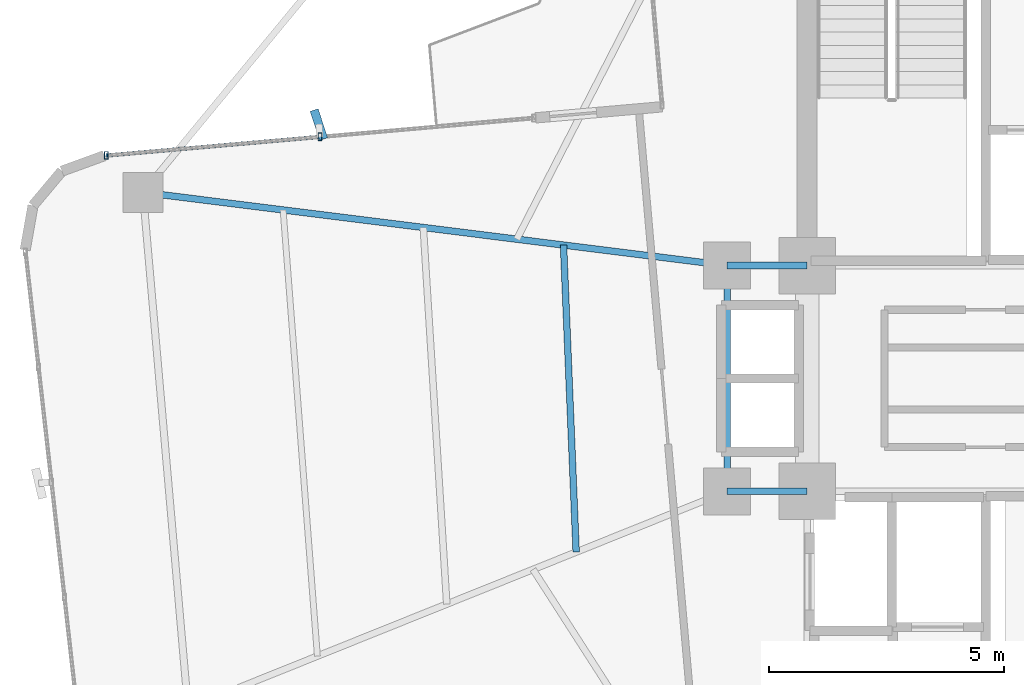
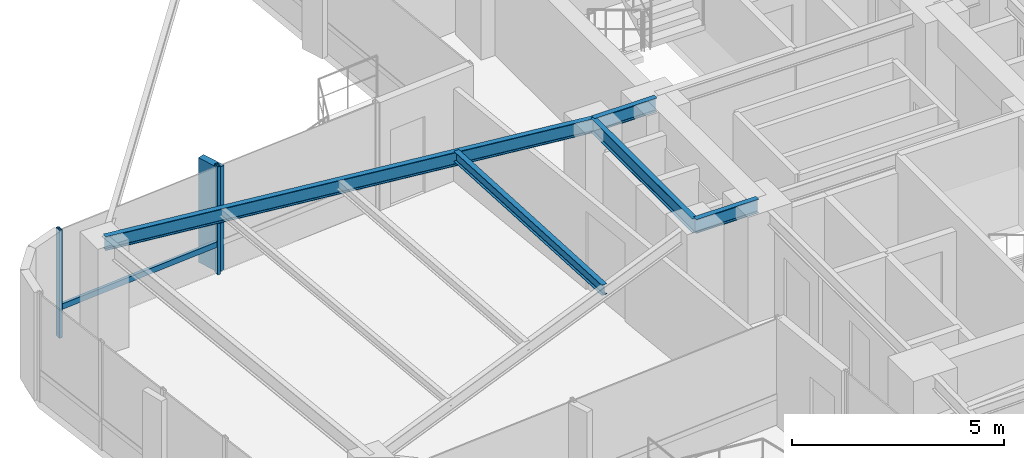
# One storey, part 9 of 24: 5 beams, 4 members, 1 element without a shape of its own.
"""IFC4 building model written with IfcOpenShell, lengths in metres."""

from ifc_helpers import new_model, si_unit, direction, frame, origin, origin_2d, place, context, subcontext, project, spatial, rectangle, hollow_rectangle, i_section, extrude, source, transform, mapped, material, material_profile, profile_set, type_object, element, aggregate, save


model = new_model("IFC4")

# Units and contexts
model_context = context("Model", 3, precision=1e-05, world=origin(), true_north=direction((0.0, 1.0)))
body_context = subcontext(model_context, "Body", "Model", "MODEL_VIEW")
ifc_project = project(units=[si_unit("LENGTHUNIT", "METRE"), si_unit("AREAUNIT", "SQUARE_METRE"), si_unit("VOLUMEUNIT", "CUBIC_METRE"), si_unit("PLANEANGLEUNIT", "RADIAN"), si_unit("MASSUNIT", "GRAM", prefix="KILO")], contexts=[model_context])

# Site, building, storey
site_placement = place(None, origin())
site = spatial("IfcSite", under=ifc_project, at=site_placement, CompositionType="ELEMENT")
building_placement = place(site_placement, origin())
building = spatial("IfcBuilding", under=site, at=building_placement, Name="Sahyath Konkavel Grand Hotel", CompositionType="ELEMENT")
storey_placement = place(building_placement, frame((0.0, 0.0, 188.60009765625)))
storey = spatial("IfcBuildingStorey", under=building, at=storey_placement, Name="L52", CompositionType="ELEMENT", Elevation=188.60009765625)

# Beams
ifc_material_1 = material(Name="Steel E350", Category="steel")
ifc_material_profile_1 = material_profile(ifc_material_1, i_section(OverallWidth=0.139892578125, OverallDepth=0.39990234375, WebThickness=0.0087890625, FlangeThickness=0.01611328125, FilletRadius=0.013916015625, at=origin_2d()), Name="ISMB 400")
ifc_profile_set_1 = profile_set([ifc_material_profile_1], Name="Steel E350")
beam_type_1 = type_object("IfcBeamType", Name="BM-ISMB400", PredefinedType="BEAM", material=ifc_profile_set_1)
shared_shape_1 = source(origin(), body_context, "Body", "SweptSolid", [
    extrude(i_section(OverallWidth=0.139892578125, OverallDepth=0.39990234375, WebThickness=0.0087890625, FlangeThickness=0.01611328125, FilletRadius=0.013916015625, at=origin_2d()), origin(), (0.0, 0.0, 1.0), 1.699951171875),
])
for number, where, z_axis, x_axis, name in (
    (1, (-5.5, 2.39990234375, 2.909912109375), (1.0, 0.0, 0.0), (0.0, 1.0, 0.0), "str:bm:L52:HB-NW"),
    (2, (-5.5, -2.39990234375, 2.909912109375), (1.0, 0.0, 0.0), (0.0, 1.0, 0.0), "str:bm:L52:HB-SW"),
):
    element("IfcBeam", number, at=place(storey_placement, frame(where, z_axis=z_axis, x_axis=x_axis)), inside=storey, type_object=beam_type_1, Name=name, PredefinedType="BEAM", context=body_context, shape_type="MappedRepresentation", body=[
        mapped(shared_shape_1, transform((0.0, 0.0, 0.0), scale=1.0)),
    ])
shared_shape_2 = source(origin(), body_context, "Body", "SweptSolid", [
    extrude(i_section(OverallWidth=0.139892578125, OverallDepth=0.39990234375, WebThickness=0.0087890625, FlangeThickness=0.01611328125, FilletRadius=0.013916015625, at=origin_2d()), origin(), (0.0, 0.0, 1.0), 4.7998046875),
])
beam_1_placement = place(storey_placement, frame((-5.5, -2.39990234375, 2.909912109375), z_axis=(0.0, 1.0, 0.0), x_axis=(-1.0, 0.0, 0.0)))
element("IfcBeam", 3, at=beam_1_placement, inside=storey, type_object=beam_type_1, Name="str:bm:L52:HB-W", PredefinedType="BEAM", context=body_context, shape_type="MappedRepresentation", body=[
    mapped(shared_shape_2, transform((0.0, 0.0, 0.0), scale=1.0)),
])
shared_shape_3 = source(origin(), body_context, "Body", "SweptSolid", [
    extrude(i_section(OverallWidth=0.139892578125, OverallDepth=0.39990234375, WebThickness=0.0087890625, FlangeThickness=0.01611328125, FilletRadius=0.013916015625, at=origin_2d()), origin(), (0.0, 0.0, 1.0), 12.509765625),
])
beam_2_placement = place(storey_placement, frame((-5.5, 2.39990234375, 2.909912109375), z_axis=(-0.992254740459, 0.124219684578, 0.0), x_axis=(-0.124219684578, -0.992254740459, 0.0)))
element("IfcBeam", 4, at=beam_2_placement, inside=storey, type_object=beam_type_1, Name="L52 Cruciform Radial Girder WA", PredefinedType="BEAM", context=body_context, shape_type="MappedRepresentation", body=[
    mapped(shared_shape_3, transform((0.0, 0.0, 0.0), scale=1.0)),
])
ifc_material_profile_2 = material_profile(ifc_material_1, i_section(OverallWidth=0.139892578125, OverallDepth=0.300048828125, WebThickness=0.0078125, FlangeThickness=0.01318359375, FilletRadius=0.013916015625, at=origin_2d()), Name="ISMB 300")
ifc_profile_set_2 = profile_set([ifc_material_profile_2], Name="Steel E350")
beam_type_2 = type_object("IfcBeamType", Name="BM-ISMB300", PredefinedType="BEAM", material=ifc_profile_set_2)
shared_shape_4 = source(origin(), body_context, "Body", "SweptSolid", [
    extrude(i_section(OverallWidth=0.139892578125, OverallDepth=0.300048828125, WebThickness=0.0078125, FlangeThickness=0.01318359375, FilletRadius=0.013916015625, at=origin_2d()), origin(), (0.0, 0.0, 1.0), 6.530029296875),
])
beam_3_placement = place(storey_placement, frame((-8.9755859375, 2.835205078125, 2.9599609375), z_axis=(0.04112667768, -0.999153940283, 0.0), x_axis=(0.999153940283, 0.04112667768, 0.0)))
element("IfcBeam", 5, at=beam_3_placement, inside=storey, type_object=beam_type_2, Name="L52 Secondary Floor Beam W-1", PredefinedType="BEAM", context=body_context, shape_type="MappedRepresentation", body=[
    mapped(shared_shape_4, transform((0.0, 0.0, 0.0), scale=1.0)),
])

# Curtain wall, members
ifc_material_2 = material(Name="Anodised Bronze Aluminium & Low-E Glazing", Category="aluminium")
curtain_wall_type = type_object("IfcCurtainWallType", Name="CW-ZONE3", PredefinedType="NOTDEFINED", material=ifc_material_2)
curtain_wall_placement = place(storey_placement, origin())
curtain_wall = element("IfcCurtainWall", 6, at=curtain_wall_placement, inside=storey, type_object=curtain_wall_type, Name="L52 Unitised Curtain Wall F16", PredefinedType="NOTDEFINED")
ifc_material_3 = material(Name="Anodised Bronze Aluminium", Category="aluminium")
ifc_material_profile_3 = material_profile(ifc_material_3, hollow_rectangle(XDim=0.080078125, YDim=0.159912109375, WallThickness=0.006103515625, at=origin_2d()), Name="RHS 160x80x6")
ifc_profile_set_3 = profile_set([ifc_material_profile_3], Name="Anodised Bronze Aluminium")
member_type_1 = type_object("IfcMemberType", Name="CW-MUL-160", PredefinedType="MULLION", material=ifc_profile_set_3)
shared_shape_5 = source(origin(), body_context, "Body", "SweptSolid", [
    extrude(hollow_rectangle(XDim=0.080078125, YDim=0.159912109375, WallThickness=0.006103515625, at=origin_2d()), origin(), (0.0, 0.0, 1.0), 3.10986328125),
])
member_1_placement = place(storey_placement, frame((-14.151611328125, 5.135986328125, 0.0), z_axis=(0.0, 0.0, 1.0), x_axis=(1.0, 0.0, 0.0)))
member_1 = element("IfcMember", 7, at=member_1_placement, type_object=member_type_1, Name="L52 Curtain Wall Mullion F16-1", PredefinedType="MULLION", context=body_context, shape_type="MappedRepresentation", body=[
    mapped(shared_shape_5, transform((0.0, 0.0, 0.0), scale=1.0)),
])
member_2_placement = place(storey_placement, frame((-18.694091796875, 4.73876953125, 0.0), z_axis=(0.0, 0.0, 1.0), x_axis=(1.0, 0.0, 0.0)))
member_2 = element("IfcMember", 8, at=member_2_placement, type_object=member_type_1, Name="L52 Curtain Wall Mullion F16-2", PredefinedType="MULLION", context=body_context, shape_type="MappedRepresentation", body=[
    mapped(shared_shape_5, transform((0.0, 0.0, 0.0), scale=1.0)),
])
ifc_material_4 = material(Name="Warm Buff Sandstone Cladding on Concrete C50/60", Category="masonry")
ifc_material_profile_4 = material_profile(ifc_material_4, rectangle(XDim=0.179931640625, YDim=0.64990234375, at=origin_2d()), Name="FIN 180x650")
ifc_profile_set_4 = profile_set([ifc_material_profile_4], Name="Warm Buff Sandstone Cladding on Concrete C50/60")
member_type_2 = type_object("IfcMemberType", Name="FIN-SANDSTONE-650", PredefinedType="MULLION", material=ifc_profile_set_4)
shared_shape_6 = source(origin(), body_context, "Body", "SweptSolid", [
    extrude(rectangle(XDim=0.179931640625, YDim=0.64990234375, at=origin_2d()), origin(), (0.0, 0.0, 1.0), 3.010009765625),
])
member_3_placement = place(storey_placement, frame((-14.17431640625, 5.39501953125, 0.0498046875), z_axis=(0.0, 0.0, 1.0), x_axis=(0.951164325631, 0.308684994204, 0.0)))
member_3 = element("IfcMember", 9, at=member_3_placement, type_object=member_type_2, Name="L52 Sandstone Vertical Solar Fin FIN F16-1", PredefinedType="MULLION", context=body_context, shape_type="MappedRepresentation", body=[
    mapped(shared_shape_6, transform((0.0, 0.0, 0.0), scale=1.0)),
])
ifc_material_profile_5 = material_profile(ifc_material_3, hollow_rectangle(XDim=0.080078125, YDim=0.159912109375, WallThickness=0.006103515625, at=origin_2d()), Name="RHS 160x80x6")
ifc_profile_set_5 = profile_set([ifc_material_profile_5], Name="Anodised Bronze Aluminium")
member_type_3 = type_object("IfcMemberType", Name="CW-TRN-160", PredefinedType="USERDEFINED", material=ifc_profile_set_5)
shared_shape_7 = source(origin(), body_context, "Body", "SweptSolid", [
    extrude(hollow_rectangle(XDim=0.080078125, YDim=0.159912109375, WallThickness=0.006103515625, at=origin_2d()), origin(), (0.0, 0.0, 1.0), 4.559814453125),
])
member_4_placement = place(storey_placement, frame((-14.151611328125, 5.135986328125, 0.849853515625), z_axis=(-0.99619848155, -0.087112486804, 0.0), x_axis=(0.087112486804, -0.99619848155, 0.0)))
member_4 = element("IfcMember", 10, at=member_4_placement, type_object=member_type_3, Name="L52 Curtain Wall Transom F16-1-spandrel", ObjectType="TRANSOM", PredefinedType="USERDEFINED", context=body_context, shape_type="MappedRepresentation", body=[
    mapped(shared_shape_7, transform((0.0, 0.0, 0.0), scale=1.0)),
])
aggregate(curtain_wall, [member_1, member_3, member_2, member_4])

save(model, "model.ifc")
